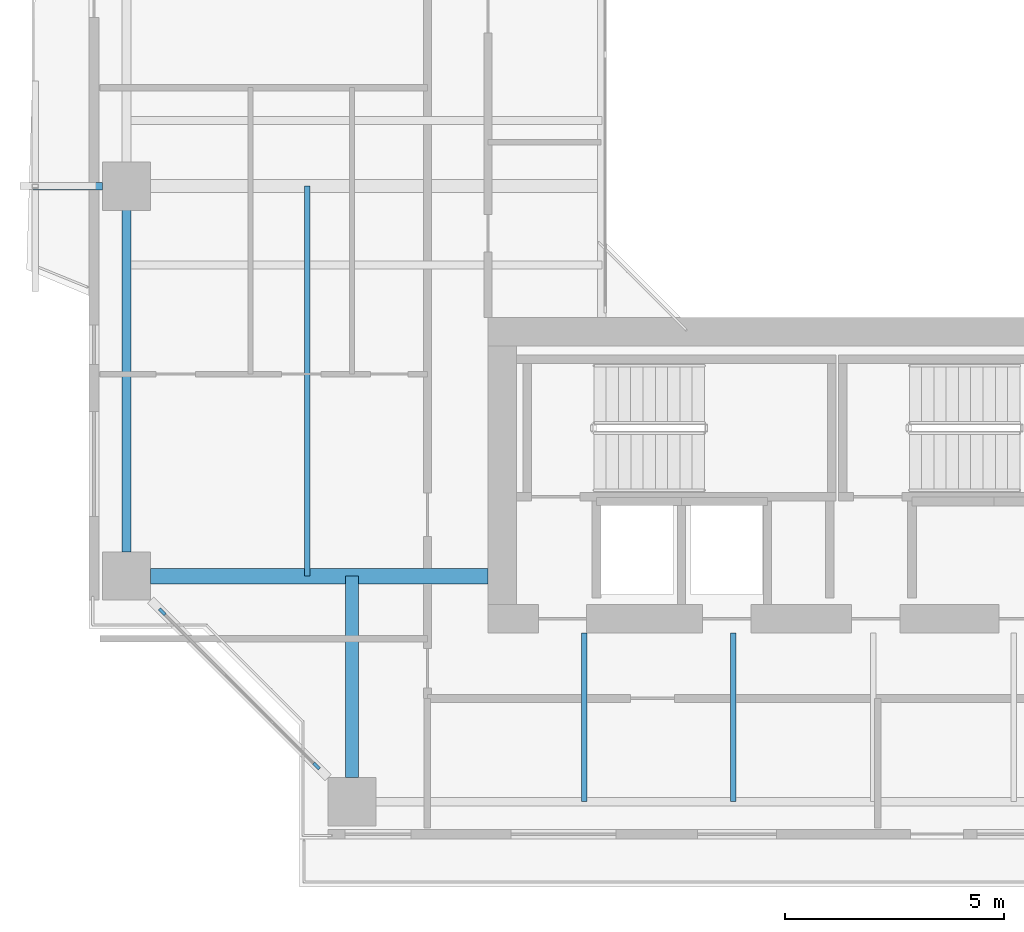
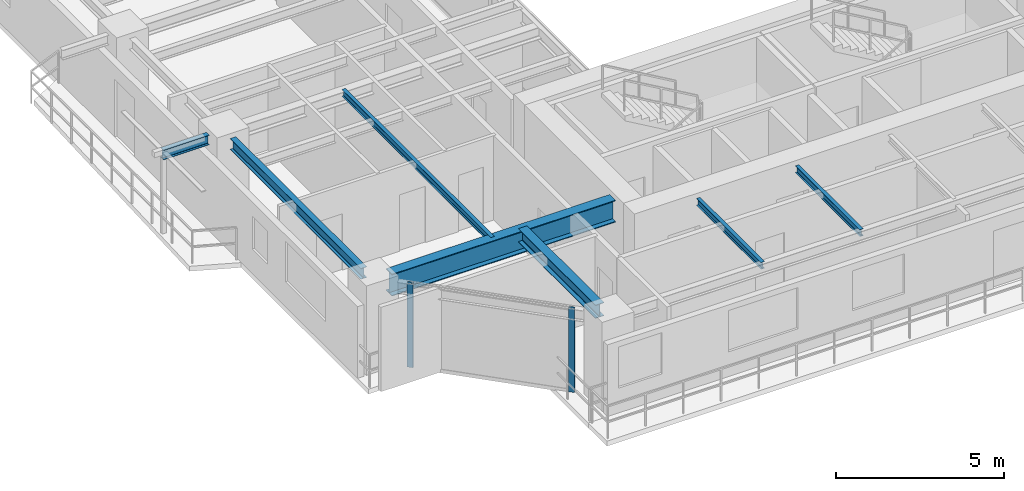
# One storey, part 2 of 23: 7 beams, 2 members, 1 element without a shape of its own.
"""IFC4 building model written with IfcOpenShell, lengths in metres."""

from ifc_helpers import new_model, si_unit, direction, frame, origin, origin_2d, place, context, subcontext, project, spatial, rectangle, i_section, extrude, source, transform, mapped, material, layer, layer_set, material_profile, profile_set, type_object, element, aggregate, save


model = new_model("IFC4")

# Units and contexts
model_context = context("Model", 3, precision=1e-05, world=origin(), true_north=direction((0.0, 1.0)))
body_context = subcontext(model_context, "Body", "Model", "MODEL_VIEW")
ifc_project = project(units=[si_unit("LENGTHUNIT", "METRE"), si_unit("AREAUNIT", "SQUARE_METRE"), si_unit("VOLUMEUNIT", "CUBIC_METRE"), si_unit("PLANEANGLEUNIT", "RADIAN"), si_unit("MASSUNIT", "GRAM", prefix="KILO"), si_unit("THERMODYNAMICTEMPERATUREUNIT", "KELVIN"), si_unit("POWERUNIT", "WATT")], contexts=[model_context])

# Site, building, storey
site_placement = place(None, origin())
site = spatial("IfcSite", under=ifc_project, at=site_placement, CompositionType="ELEMENT")
building_placement = place(site_placement, origin())
building = spatial("IfcBuilding", under=site, at=building_placement, Name="Qiaomeng Ring Towers", CompositionType="ELEMENT")
storey_placement = place(building_placement, frame((0.0, 0.0, 97.0)))
storey = spatial("IfcBuildingStorey", under=building, at=storey_placement, Name="L27", CompositionType="ELEMENT", Elevation=97.0)

# Beams
ifc_material_1 = material(Name="Steel Q355B", Category="steel")
ifc_material_profile_1 = material_profile(ifc_material_1, i_section(OverallWidth=0.199951171875, OverallDepth=0.39990234375, WebThickness=0.008056640625, FlangeThickness=0.012939453125, FilletRadius=0.01611328125, at=origin_2d()), Name="HN 400x200x8x13")
ifc_profile_set_1 = profile_set([ifc_material_profile_1], Name="Steel Q355B")
beam_type_1 = type_object("IfcBeamType", Name="STR-BM-HN400", PredefinedType="SPANDREL", material=ifc_profile_set_1)
shared_shape_1 = source(origin(), body_context, "Body", "SweptSolid", [
    extrude(i_section(OverallWidth=0.199951171875, OverallDepth=0.39990234375, WebThickness=0.008056640625, FlangeThickness=0.012939453125, FilletRadius=0.01611328125, at=origin_2d()), origin(), (0.0, 0.0, 1.0), 7.802001953125),
])
beam_1_placement = place(storey_placement, frame((1.949951171875, 19.450927734375, 2.8701171875), z_axis=(0.0, -1.0, 0.0), x_axis=(1.0, 0.0, 0.0)))
element("IfcBeam", 1, at=beam_1_placement, inside=storey, type_object=beam_type_1, Name="L27 beam STR-SP-L27-T1-W2-W1", PredefinedType="SPANDREL", context=body_context, shape_type="MappedRepresentation", body=[
    mapped(shared_shape_1, transform((0.0, 0.0, 0.0), x_axis=(1.0, 0.0, 0.0), y_axis=(0.0, 1.0, 0.0), z_axis=(0.0, 0.0, 1.0), scale=1.0)),
])
ifc_material_2 = material(Name="Steel Q390GJC", Category="steel")
ifc_material_profile_2 = material_profile(ifc_material_2, i_section(OverallWidth=0.35009765625, OverallDepth=0.800048828125, WebThickness=0.01611328125, FlangeThickness=0.028076171875, at=origin_2d()), Name="WH 800x350x16x28")
ifc_profile_set_2 = profile_set([ifc_material_profile_2], Name="Steel Q390GJC")
beam_type_2 = type_object("IfcBeamType", Name="STR-BM-WH800", PredefinedType="BEAM", material=ifc_profile_set_2)
shared_shape_2 = source(origin(), body_context, "Body", "SweptSolid", [
    extrude(i_section(OverallWidth=0.35009765625, OverallDepth=0.800048828125, WebThickness=0.01611328125, FlangeThickness=0.028076171875, at=origin_2d()), origin(), (0.0, 0.0, 1.0), 7.700927734375),
])
beam_2_placement = place(storey_placement, frame((2.4990234375, 11.10009765625, 2.669921875), z_axis=(1.0, 0.0, 0.0), x_axis=(0.0, 1.0, 0.0)))
element("IfcBeam", 2, at=beam_2_placement, inside=storey, type_object=beam_type_2, Name="L27 beam STR-BM-L27-T1-RAD-W1", PredefinedType="BEAM", context=body_context, shape_type="MappedRepresentation", body=[
    mapped(shared_shape_2, transform((0.0, 0.0, 0.0), x_axis=(1.0, 0.0, 0.0), y_axis=(0.0, 1.0, 0.0), z_axis=(0.0, 0.0, 1.0), scale=1.0)),
])
ifc_material_profile_3 = material_profile(ifc_material_1, i_section(OverallWidth=0.300048828125, OverallDepth=0.488037109375, WebThickness=0.010986328125, FlangeThickness=0.01806640625, FilletRadius=0.02587890625, at=origin_2d()), Name="HM 488x300x11x18")
ifc_profile_set_3 = profile_set([ifc_material_profile_3], Name="Steel Q355B")
beam_type_3 = type_object("IfcBeamType", Name="STR-BM-HM488", PredefinedType="BEAM", material=ifc_profile_set_3)
shared_shape_3 = source(origin(), body_context, "Body", "SweptSolid", [
    extrude(i_section(OverallWidth=0.300048828125, OverallDepth=0.488037109375, WebThickness=0.010986328125, FlangeThickness=0.01806640625, FilletRadius=0.02587890625, at=origin_2d()), origin(), (0.0, 0.0, 1.0), 4.60107421875),
])
beam_3_placement = place(storey_placement, frame((7.10009765625, 6.4990234375, 2.825927734375), z_axis=(0.0, 1.0, 0.0), x_axis=(-1.0, 0.0, 0.0)))
element("IfcBeam", 3, at=beam_3_placement, inside=storey, type_object=beam_type_3, Name="L27 beam STR-BM-L27-T1-RAD-S1", PredefinedType="BEAM", context=body_context, shape_type="MappedRepresentation", body=[
    mapped(shared_shape_3, transform((0.0, 0.0, 0.0), x_axis=(1.0, 0.0, 0.0), y_axis=(0.0, 1.0, 0.0), z_axis=(0.0, 0.0, 1.0), scale=1.0)),
])
ifc_material_profile_4 = material_profile(ifc_material_1, i_section(OverallWidth=0.125, OverallDepth=0.25, WebThickness=0.006103515625, FlangeThickness=0.009033203125, FilletRadius=0.011962890625, at=origin_2d()), Name="HN 250x125x6x9")
ifc_profile_set_4 = profile_set([ifc_material_profile_4], Name="Steel Q355B")
beam_type_4 = type_object("IfcBeamType", Name="STR-BM-HN250", PredefinedType="JOIST", material=ifc_profile_set_4)
shared_shape_4 = source(origin(), body_context, "Body", "SweptSolid", [
    extrude(i_section(OverallWidth=0.125, OverallDepth=0.25, WebThickness=0.006103515625, FlangeThickness=0.009033203125, FilletRadius=0.011962890625, at=origin_2d()), origin(), (0.0, 0.0, 1.0), 3.85009765625),
])
for number, where, z_axis, x_axis, name in (
    (4, (12.39990234375, 5.949951171875, 2.945068359375), (0.0, 1.0, 0.0), (-1.0, 0.0, 0.0), "L27 beam STR-JST-L27-T1S-1"),
    (5, (15.800048828125, 5.949951171875, 2.945068359375), (0.0, 1.0, 0.0), (-1.0, 0.0, 0.0), "L27 beam STR-JST-L27-T1S-2"),
):
    element("IfcBeam", number, at=place(storey_placement, frame(where, z_axis=z_axis, x_axis=x_axis)), inside=storey, type_object=beam_type_4, Name=name, PredefinedType="JOIST", context=body_context, shape_type="MappedRepresentation", body=[
        mapped(shared_shape_4, transform((0.0, 0.0, 0.0), x_axis=(1.0, 0.0, 0.0), y_axis=(0.0, 1.0, 0.0), z_axis=(0.0, 0.0, 1.0), scale=1.0)),
    ])
shared_shape_5 = source(origin(), body_context, "Body", "SweptSolid", [
    extrude(i_section(OverallWidth=0.125, OverallDepth=0.25, WebThickness=0.006103515625, FlangeThickness=0.009033203125, FilletRadius=0.011962890625, at=origin_2d()), origin(), (0.0, 0.0, 1.0), 8.89990234375),
])
beam_4_placement = place(storey_placement, frame((6.074951171875, 11.10009765625, 2.945068359375), z_axis=(0.0, 1.0, 0.0), x_axis=(-1.0, 0.0, 0.0)))
element("IfcBeam", 6, at=beam_4_placement, inside=storey, type_object=beam_type_4, Name="L27 beam STR-JST-L27-T1C-WS", PredefinedType="JOIST", context=body_context, shape_type="MappedRepresentation", body=[
    mapped(shared_shape_5, transform((0.0, 0.0, 0.0), x_axis=(1.0, 0.0, 0.0), y_axis=(0.0, 1.0, 0.0), z_axis=(0.0, 0.0, 1.0), scale=1.0)),
])
ifc_material_profile_5 = material_profile(ifc_material_1, i_section(OverallWidth=0.175048828125, OverallDepth=0.35009765625, WebThickness=0.007080078125, FlangeThickness=0.010986328125, FilletRadius=0.013916015625, at=origin_2d()), Name="HN 350x175x7x11")
ifc_profile_set_5 = profile_set([ifc_material_profile_5], Name="Steel Q355B")
beam_type_5 = type_object("IfcBeamType", Name="STR-BM-HN350", PredefinedType="JOIST", material=ifc_profile_set_5)
shared_shape_6 = source(origin(), body_context, "Body", "SweptSolid", [
    extrude(i_section(OverallWidth=0.175048828125, OverallDepth=0.35009765625, WebThickness=0.007080078125, FlangeThickness=0.010986328125, FilletRadius=0.013916015625, at=origin_2d()), origin(), (0.0, 0.0, 1.0), 1.580810546875),
])
beam_5_placement = place(storey_placement, frame((-0.179931640625, 20.0, 2.89501953125), z_axis=(1.0, 0.0, 0.0), x_axis=(0.0, 1.0, 0.0)))
element("IfcBeam", 7, at=beam_5_placement, inside=storey, type_object=beam_type_5, Name="L27 beam STR-BALBM-L27-W2", PredefinedType="JOIST", context=body_context, shape_type="MappedRepresentation", body=[
    mapped(shared_shape_6, transform((0.0, 0.0, 0.0), x_axis=(1.0, 0.0, 0.0), y_axis=(0.0, 1.0, 0.0), z_axis=(0.0, 0.0, 1.0), scale=1.0)),
])

# Curtain wall, members
ifc_material_3 = material(Name="Fluorocarbon dark-grey aluminium", Category="aluminium")
ifc_layer = layer(ifc_material_3, 0.14990234375, Name="Fluorocarbon dark-grey aluminium")
ifc_layer_set = layer_set([ifc_layer], Name="Fluorocarbon dark-grey aluminium")
curtain_wall_type = type_object("IfcCurtainWallType", Name="ARC-CW-3", PredefinedType="NOTDEFINED", material=ifc_layer_set)
curtain_wall_placement = place(storey_placement, origin())
curtain_wall = element("IfcCurtainWall", 8, at=curtain_wall_placement, inside=storey, type_object=curtain_wall_type, Name="L27 Curtain Wall CW3", PredefinedType="NOTDEFINED")
ifc_material_profile_6 = material_profile(ifc_material_3, rectangle(XDim=0.070068359375, YDim=0.179931640625, at=origin_2d()), Name="ALU MULL 70x180")
ifc_profile_set_6 = profile_set([ifc_material_profile_6], Name="Fluorocarbon dark-grey aluminium")
member_type = type_object("IfcMemberType", Name="ARC-CWM-160", PredefinedType="MULLION", material=ifc_profile_set_6)
shared_shape_7 = source(origin(), body_context, "Body", "SweptSolid", [
    extrude(rectangle(XDim=0.070068359375, YDim=0.179931640625, at=origin_2d()), origin(), (0.0, 0.0, 1.0), 3.070068359375),
])
member_1_placement = place(storey_placement, frame((2.7646484375, 10.28515625, 0.0), z_axis=(0.0, 0.0, 1.0), x_axis=(0.707106781187, 0.707106781187, 0.0)))
member_1 = element("IfcMember", 9, at=member_1_placement, type_object=member_type, Name="CW3 mullion 1", PredefinedType="MULLION", context=body_context, shape_type="MappedRepresentation", body=[
    mapped(shared_shape_7, transform((0.0, 0.0, 0.0), x_axis=(1.0, 0.0, 0.0), y_axis=(0.0, 1.0, 0.0), z_axis=(0.0, 0.0, 1.0), scale=1.0)),
])
member_2_placement = place(storey_placement, frame((6.28515625, 6.7646484375, 0.0), z_axis=(0.0, 0.0, 1.0), x_axis=(0.707106781187, 0.707106781187, 0.0)))
member_2 = element("IfcMember", 10, at=member_2_placement, type_object=member_type, Name="CW3 mullion 2", PredefinedType="MULLION", context=body_context, shape_type="MappedRepresentation", body=[
    mapped(shared_shape_7, transform((0.0, 0.0, 0.0), x_axis=(1.0, 0.0, 0.0), y_axis=(0.0, 1.0, 0.0), z_axis=(0.0, 0.0, 1.0), scale=1.0)),
])
aggregate(curtain_wall, [member_1, member_2])

save(model, "model.ifc")
